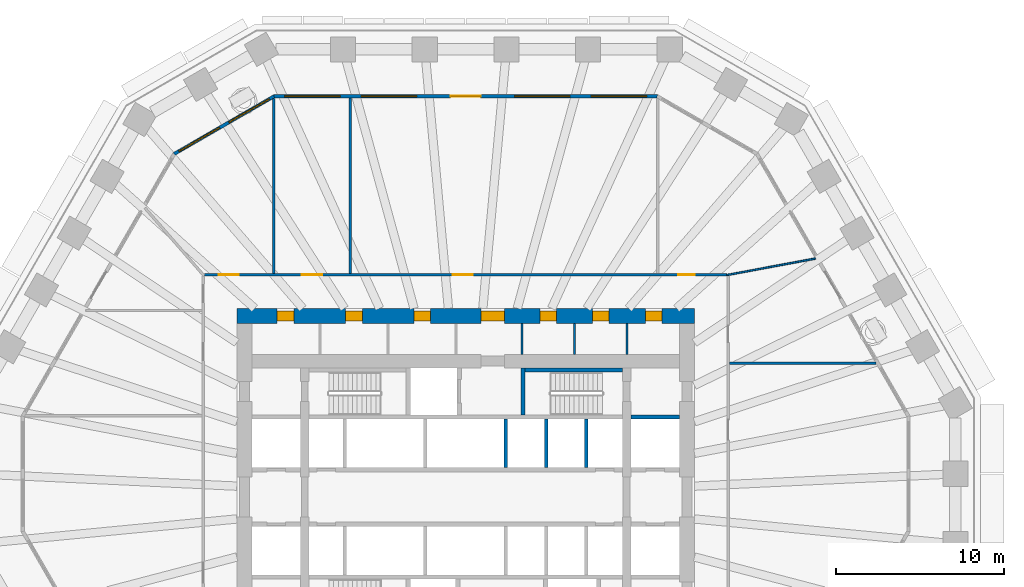
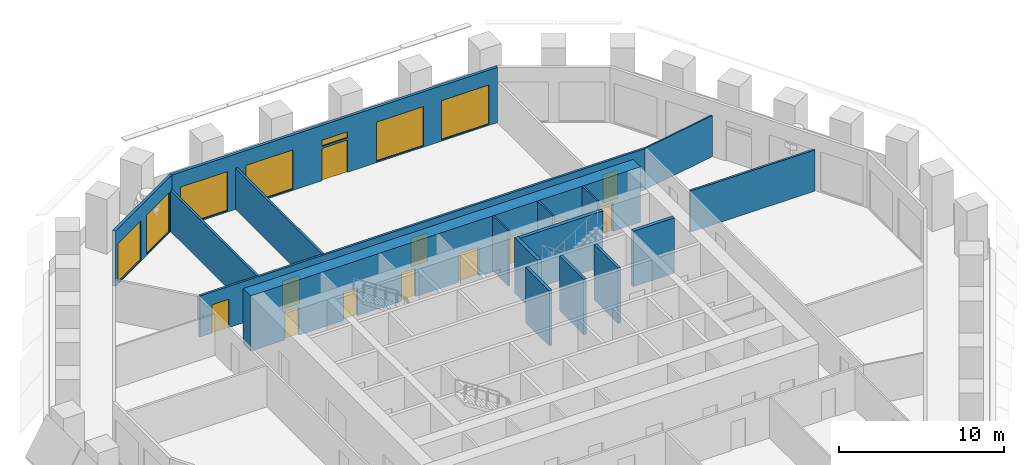
# One storey, part 7 of 12: 17 walls, 12 doors, 7 windows, 19 openings.
"""IFC4 building model written with IfcOpenShell, lengths in metres."""

from ifc_helpers import new_model, si_unit, direction, frame, frame_2d, origin, place, context, subcontext, project, spatial, polyline, rectangle, outline, extrude, material, layer, layer_set, type_object, element, fill, save


model = new_model("IFC4")

# Units and contexts
model_context = context("Model", 3, precision=1e-05, world=origin(), true_north=direction((0.0, 1.0)))
body_context = subcontext(model_context, "Body", "Model", "MODEL_VIEW")
ifc_project = project(units=[si_unit("LENGTHUNIT", "METRE"), si_unit("AREAUNIT", "SQUARE_METRE"), si_unit("VOLUMEUNIT", "CUBIC_METRE"), si_unit("PLANEANGLEUNIT", "RADIAN"), si_unit("MASSUNIT", "GRAM", prefix="KILO")], contexts=[model_context])

# Site, building, storey
site_placement = place(None, origin())
site = spatial("IfcSite", under=ifc_project, at=site_placement, CompositionType="ELEMENT")
building_placement = place(site_placement, origin())
building = spatial("IfcBuilding", under=site, at=building_placement, Name="Frailejon Research Tower", CompositionType="ELEMENT")
storey_placement = place(building_placement, frame((0.0, 0.0, 63.0)))
storey = spatial("IfcBuildingStorey", under=building, at=storey_placement, Name="L14", CompositionType="ELEMENT", Elevation=63.0)

# Walls
ifc_material_1 = material(Name="Plasterboard on steel studs", Category="steel")
ifc_layer_1 = layer(ifc_material_1, 0.125)
ifc_layer_set_1 = layer_set([ifc_layer_1], Name="Core partition 125")
wall_type_1 = type_object("IfcWallType", Name="Core partition 125", PredefinedType="PARTITIONING", material=ifc_layer_set_1)
for number, where, z_axis, x_axis, name in (
    (1, (3.362548828125, 8.5, 0.0), (0.0, 0.0, 1.0), (0.0, 1.0, 0.0), "Core partition"),
    (2, (6.49169921875, 8.5, 0.0), (0.0, 0.0, 1.0), (0.0, 1.0, 0.0), "Core partition"),
    (3, (9.620849609375, 8.5, 0.0), (0.0, 0.0, 1.0), (0.0, 1.0, 0.0), "Core partition"),
):
    element("IfcWall", number, at=place(storey_placement, frame(where, z_axis=z_axis, x_axis=x_axis)), inside=storey, type_object=wall_type_1, Name=name, PredefinedType="PARTITIONING", context=body_context, shape_type="SweptSolid", body=[
        extrude(rectangle(XDim=1.85009765625, YDim=0.125, at=frame_2d((0.925048828125, 0.0))), origin(), (0.0, 0.0, 1.0), 4.10009765625),
    ])

# Wall, openings, doors
ifc_material_2 = material(Name="Concrete C70/85", Category="concrete")
ifc_layer_2 = layer(ifc_material_2, 0.89990234375)
ifc_layer_set_2 = layer_set([ifc_layer_2], Name="Core shear wall 900 C70/85")
wall_type_2 = type_object("IfcWallType", Name="Core shear wall 900 C70/85", PredefinedType="SHEAR", material=ifc_layer_set_2)
wall_1_placement = place(storey_placement, frame((-13.64990234375, 10.800048828125, 0.0), z_axis=(0.0, 0.0, 1.0), x_axis=(1.0, 0.0, 0.0)))
wall_1 = element("IfcWall", 4, at=wall_1_placement, inside=storey, type_object=wall_type_2, Name="Core shear wall", PredefinedType="SHEAR", context=body_context, shape_type="SweptSolid", body=[
    extrude(rectangle(XDim=27.2998046875, YDim=0.89990234375, at=frame_2d((13.64990234375, 0.0))), origin(), (0.0, 0.0, 1.0), 4.10009765625),
])
opening_1_placement = place(wall_1_placement, frame((2.39990234375, 0.0, 0.0)))
opening_1 = element("IfcOpeningElement", 5, at=opening_1_placement, cuts=wall_1, Name="Opening D4", PredefinedType="OPENING", context=body_context, shape_type="SweptSolid", body=[
    extrude(rectangle(XDim=1.0, YDim=2.10009765625, at=frame_2d((0.5, 1.050048828125))), frame((0.0, 0.4599609375, 0.0), z_axis=(0.0, -1.0, 0.0), x_axis=(1.0, 0.0, 0.0)), (0.0, 0.0, 1.0), 0.919921875),
])
opening_2_placement = place(wall_1_placement, frame((6.49365234375, 0.0, 0.0)))
opening_2 = element("IfcOpeningElement", 6, at=opening_2_placement, cuts=wall_1, Name="Opening D4", PredefinedType="OPENING", context=body_context, shape_type="SweptSolid", body=[
    extrude(rectangle(XDim=1.0, YDim=2.10009765625, at=frame_2d((0.5, 1.050048828125))), frame((0.0, 0.4599609375, 0.0), z_axis=(0.0, -1.0, 0.0), x_axis=(1.0, 0.0, 0.0)), (0.0, 0.0, 1.0), 0.919921875),
])
opening_3_placement = place(wall_1_placement, frame((10.55615234375, 0.0, 0.0)))
opening_3 = element("IfcOpeningElement", 7, at=opening_3_placement, cuts=wall_1, Name="Opening D4", PredefinedType="OPENING", context=body_context, shape_type="SweptSolid", body=[
    extrude(rectangle(XDim=1.0, YDim=2.10009765625, at=frame_2d((0.5, 1.050048828125))), frame((0.0, 0.4599609375, 0.0), z_axis=(0.0, -1.0, 0.0), x_axis=(1.0, 0.0, 0.0)), (0.0, 0.0, 1.0), 0.919921875),
])
opening_4_placement = place(wall_1_placement, frame((18.0771484375, 0.0, 0.0)))
opening_4 = element("IfcOpeningElement", 8, at=opening_4_placement, cuts=wall_1, Name="Opening D4", PredefinedType="OPENING", context=body_context, shape_type="SweptSolid", body=[
    extrude(rectangle(XDim=1.0, YDim=2.10009765625, at=frame_2d((0.5, 1.050048828125))), frame((0.0, 0.4599609375, 0.0), z_axis=(0.0, -1.0, 0.0), x_axis=(1.0, 0.0, 0.0)), (0.0, 0.0, 1.0), 0.919921875),
])
opening_5_placement = place(wall_1_placement, frame((21.206298828125, 0.0, 0.0)))
opening_5 = element("IfcOpeningElement", 9, at=opening_5_placement, cuts=wall_1, Name="Opening D4", PredefinedType="OPENING", context=body_context, shape_type="SweptSolid", body=[
    extrude(rectangle(XDim=1.0, YDim=2.10009765625, at=frame_2d((0.5, 1.050048828125))), frame((0.0, 0.4599609375, 0.0), z_axis=(0.0, -1.0, 0.0), x_axis=(1.0, 0.0, 0.0)), (0.0, 0.0, 1.0), 0.919921875),
])
opening_6_placement = place(wall_1_placement, frame((24.36669921875, 0.0, 0.0)))
opening_6 = element("IfcOpeningElement", 10, at=opening_6_placement, cuts=wall_1, Name="Opening D4", PredefinedType="OPENING", context=body_context, shape_type="SweptSolid", body=[
    extrude(rectangle(XDim=1.0, YDim=2.10009765625, at=frame_2d((0.5, 1.050048828125))), frame((0.0, 0.4599609375, 0.0), z_axis=(0.0, -1.0, 0.0), x_axis=(1.0, 0.0, 0.0)), (0.0, 0.0, 1.0), 0.919921875),
])
opening_7_placement = place(wall_1_placement, frame((14.574951171875, 0.0, 0.0)))
opening_7 = element("IfcOpeningElement", 11, at=opening_7_placement, cuts=wall_1, Name="Opening D9", PredefinedType="OPENING", context=body_context, shape_type="SweptSolid", body=[
    extrude(rectangle(XDim=1.39990234375, YDim=2.10009765625, at=frame_2d((0.699951171875, 1.050048828125))), frame((0.0, 0.4599609375, 0.0), z_axis=(0.0, -1.0, 0.0), x_axis=(1.0, 0.0, 0.0)), (0.0, 0.0, 1.0), 0.919921875),
])
ifc_material_3 = material(Name="Steel", Category="steel")
door_type_1 = type_object("IfcDoorType", Name="Goods lobby door", OperationType="DOUBLE_DOOR_SINGLE_SWING", PredefinedType="DOOR", material=ifc_material_3)
door_1_placement = place(opening_7_placement, origin())
door_1 = element("IfcDoor", 12, at=door_1_placement, inside=storey, type_object=door_type_1, Name="Passage door", OperationType="DOUBLE_DOOR_SINGLE_SWING", OverallHeight=2.10009765625, OverallWidth=1.39990234375, PredefinedType="DOOR", context=body_context, shape_type="SweptSolid", body=[
    extrude(rectangle(XDim=1.39990234375, YDim=2.10009765625, at=frame_2d((0.699951171875, 1.050048828125))), frame((0.0, 0.300048828125, 0.0), z_axis=(0.0, -1.0, 0.0), x_axis=(1.0, 0.0, 0.0)), (0.0, 0.0, 1.0), 0.60009765625),
])
fill(opening_7, door_1)
ifc_material_4 = material(Name="Steel", Category="steel")
door_type_2 = type_object("IfcDoorType", Name="Service door", OperationType="SINGLE_SWING_LEFT", PredefinedType="DOOR", material=ifc_material_4)
door_2_placement = place(opening_1_placement, origin())
door_2 = element("IfcDoor", 13, at=door_2_placement, inside=storey, type_object=door_type_2, Name="Room door", OperationType="SINGLE_SWING_RIGHT", OverallHeight=2.10009765625, OverallWidth=1.0, PredefinedType="DOOR", context=body_context, shape_type="SweptSolid", body=[
    extrude(rectangle(XDim=1.0, YDim=2.10009765625, at=frame_2d((0.5, 1.050048828125))), frame((0.0, 0.300048828125, 0.0), z_axis=(0.0, -1.0, 0.0), x_axis=(1.0, 0.0, 0.0)), (0.0, 0.0, 1.0), 0.60009765625),
])
fill(opening_1, door_2)
door_3_placement = place(opening_2_placement, origin())
door_3 = element("IfcDoor", 14, at=door_3_placement, inside=storey, type_object=door_type_2, Name="Room door", OperationType="SINGLE_SWING_LEFT", OverallHeight=2.10009765625, OverallWidth=1.0, PredefinedType="DOOR", context=body_context, shape_type="SweptSolid", body=[
    extrude(rectangle(XDim=1.0, YDim=2.10009765625, at=frame_2d((0.5, 1.050048828125))), frame((0.0, 0.300048828125, 0.0), z_axis=(0.0, -1.0, 0.0), x_axis=(1.0, 0.0, 0.0)), (0.0, 0.0, 1.0), 0.60009765625),
])
fill(opening_2, door_3)
door_4_placement = place(opening_3_placement, origin())
door_4 = element("IfcDoor", 15, at=door_4_placement, inside=storey, type_object=door_type_2, Name="Room door", OperationType="SINGLE_SWING_RIGHT", OverallHeight=2.10009765625, OverallWidth=1.0, PredefinedType="DOOR", context=body_context, shape_type="SweptSolid", body=[
    extrude(rectangle(XDim=1.0, YDim=2.10009765625, at=frame_2d((0.5, 1.050048828125))), frame((0.0, 0.300048828125, 0.0), z_axis=(0.0, -1.0, 0.0), x_axis=(1.0, 0.0, 0.0)), (0.0, 0.0, 1.0), 0.60009765625),
])
fill(opening_3, door_4)
door_5_placement = place(opening_4_placement, origin())
door_5 = element("IfcDoor", 16, at=door_5_placement, inside=storey, type_object=door_type_2, Name="Room door", OperationType="SINGLE_SWING_LEFT", OverallHeight=2.10009765625, OverallWidth=1.0, PredefinedType="DOOR", context=body_context, shape_type="SweptSolid", body=[
    extrude(rectangle(XDim=1.0, YDim=2.10009765625, at=frame_2d((0.5, 1.050048828125))), frame((0.0, 0.300048828125, 0.0), z_axis=(0.0, -1.0, 0.0), x_axis=(1.0, 0.0, 0.0)), (0.0, 0.0, 1.0), 0.60009765625),
])
fill(opening_4, door_5)
door_6_placement = place(opening_5_placement, origin())
door_6 = element("IfcDoor", 17, at=door_6_placement, inside=storey, type_object=door_type_2, Name="Room door", OperationType="SINGLE_SWING_RIGHT", OverallHeight=2.10009765625, OverallWidth=1.0, PredefinedType="DOOR", context=body_context, shape_type="SweptSolid", body=[
    extrude(rectangle(XDim=1.0, YDim=2.10009765625, at=frame_2d((0.5, 1.050048828125))), frame((0.0, 0.300048828125, 0.0), z_axis=(0.0, -1.0, 0.0), x_axis=(1.0, 0.0, 0.0)), (0.0, 0.0, 1.0), 0.60009765625),
])
fill(opening_5, door_6)
door_7_placement = place(opening_6_placement, origin())
door_7 = element("IfcDoor", 18, at=door_7_placement, inside=storey, type_object=door_type_2, Name="Room door", OperationType="SINGLE_SWING_LEFT", OverallHeight=2.10009765625, OverallWidth=1.0, PredefinedType="DOOR", context=body_context, shape_type="SweptSolid", body=[
    extrude(rectangle(XDim=1.0, YDim=2.10009765625, at=frame_2d((0.5, 1.050048828125))), frame((0.0, 0.300048828125, 0.0), z_axis=(0.0, -1.0, 0.0), x_axis=(1.0, 0.0, 0.0)), (0.0, 0.0, 1.0), 0.60009765625),
])
fill(opening_6, door_7)

ifc_material_5 = material(Name="Gypsum board and masonry partition", Category="masonry")
ifc_layer_3 = layer(ifc_material_5, 0.14990234375)
ifc_layer_set_3 = layer_set([ifc_layer_3], Name="Corridor wall EI 60, gypsum on steel studs 150")
wall_type_3 = type_object("IfcWallType", Name="Corridor wall EI 60, gypsum on steel studs 150", PredefinedType="PARTITIONING", material=ifc_layer_set_3)
wall_2_placement = place(storey_placement, frame((-15.574951171875, 13.25, 0.0), z_axis=(0.0, 0.0, 1.0), x_axis=(1.0, 0.0, 0.0)))
wall_2 = element("IfcWall", 19, at=wall_2_placement, inside=storey, type_object=wall_type_3, Name="T:IW:L14:002", PredefinedType="PARTITIONING", context=body_context, shape_type="SweptSolid", body=[
    extrude(rectangle(XDim=31.175048828125, YDim=0.14990234375, at=frame_2d((15.58740234375, 0.0))), origin(), (0.0, 0.0, 1.0), 3.050048828125),
])
opening_8_placement = place(wall_2_placement, frame((28.251953125, 0.0, 0.0)))
opening_8 = element("IfcOpeningElement", 20, at=opening_8_placement, cuts=wall_2, Name="Opening D1453", PredefinedType="OPENING", context=body_context, shape_type="SweptSolid", body=[
    extrude(rectangle(XDim=1.0, YDim=2.10009765625, at=frame_2d((0.5, 1.050048828125))), frame((0.0, 0.0849609375, 0.0), z_axis=(0.0, -1.0, 0.0), x_axis=(1.0, 0.0, 0.0)), (0.0, 0.0, 1.0), 0.169921875),
])
opening_9_placement = place(wall_2_placement, frame((14.802001953125, 0.0, 0.0)))
opening_9 = element("IfcOpeningElement", 21, at=opening_9_placement, cuts=wall_2, Name="Opening D1454", PredefinedType="OPENING", context=body_context, shape_type="SweptSolid", body=[
    extrude(rectangle(XDim=1.199951171875, YDim=2.10009765625, at=frame_2d((0.60009765625, 1.050048828125))), frame((0.0, 0.0849609375, 0.0), z_axis=(0.0, -1.0, 0.0), x_axis=(1.0, 0.0, 0.0)), (0.0, 0.0, 1.0), 0.169921875),
])
opening_10_placement = place(wall_2_placement, frame((5.8125, 0.0, 0.0)))
opening_10 = element("IfcOpeningElement", 22, at=opening_10_placement, cuts=wall_2, Name="Opening D1455", PredefinedType="OPENING", context=body_context, shape_type="SweptSolid", body=[
    extrude(rectangle(XDim=1.199951171875, YDim=2.10009765625, at=frame_2d((0.60009765625, 1.050048828125))), frame((0.0, 0.0849609375, 0.0), z_axis=(0.0, -1.0, 0.0), x_axis=(1.0, 0.0, 0.0)), (0.0, 0.0, 1.0), 0.169921875),
])
opening_11_placement = place(wall_2_placement, frame((0.84912109375, 0.0, 0.0)))
opening_11 = element("IfcOpeningElement", 23, at=opening_11_placement, cuts=wall_2, Name="Opening D1456", PredefinedType="OPENING", context=body_context, shape_type="SweptSolid", body=[
    extrude(rectangle(XDim=1.199951171875, YDim=2.10009765625, at=frame_2d((0.60009765625, 1.050048828125))), frame((0.0, 0.0849609375, 0.0), z_axis=(0.0, -1.0, 0.0), x_axis=(1.0, 0.0, 0.0)), (0.0, 0.0, 1.0), 0.169921875),
])
ifc_material_6 = material(Name="Timber door leaf", Category="wood")
door_type_3 = type_object("IfcDoorType", Name="Door laboratory, timber, vision panel 1200", OperationType="NOTDEFINED", PredefinedType="DOOR", material=ifc_material_6)
door_8_placement = place(opening_9_placement, origin())
door_8 = element("IfcDoor", 24, at=door_8_placement, inside=storey, type_object=door_type_3, Name="D1454", OperationType="DOUBLE_DOOR_SINGLE_SWING", OverallHeight=2.10009765625, OverallWidth=1.199951171875, PredefinedType="DOOR", context=body_context, shape_type="SweptSolid", body=[
    extrude(rectangle(XDim=1.199951171875, YDim=2.10009765625, at=frame_2d((0.60009765625, 1.050048828125))), frame((0.0, 0.02490234375, 0.0), z_axis=(0.0, -1.0, 0.0), x_axis=(1.0, 0.0, 0.0)), (0.0, 0.0, 1.0), 0.050048828125),
])
fill(opening_9, door_8)
door_9_placement = place(opening_10_placement, origin())
door_9 = element("IfcDoor", 25, at=door_9_placement, inside=storey, type_object=door_type_3, Name="D1455", OperationType="DOUBLE_DOOR_SINGLE_SWING", OverallHeight=2.10009765625, OverallWidth=1.199951171875, PredefinedType="DOOR", context=body_context, shape_type="SweptSolid", body=[
    extrude(rectangle(XDim=1.199951171875, YDim=2.10009765625, at=frame_2d((0.60009765625, 1.050048828125))), frame((0.0, 0.02490234375, 0.0), z_axis=(0.0, -1.0, 0.0), x_axis=(1.0, 0.0, 0.0)), (0.0, 0.0, 1.0), 0.050048828125),
])
fill(opening_10, door_9)
door_10_placement = place(opening_11_placement, origin())
door_10 = element("IfcDoor", 26, at=door_10_placement, inside=storey, type_object=door_type_3, Name="D1456", OperationType="DOUBLE_DOOR_SINGLE_SWING", OverallHeight=2.10009765625, OverallWidth=1.199951171875, PredefinedType="DOOR", context=body_context, shape_type="SweptSolid", body=[
    extrude(rectangle(XDim=1.199951171875, YDim=2.10009765625, at=frame_2d((0.60009765625, 1.050048828125))), frame((0.0, 0.02490234375, 0.0), z_axis=(0.0, -1.0, 0.0), x_axis=(1.0, 0.0, 0.0)), (0.0, 0.0, 1.0), 0.050048828125),
])
fill(opening_11, door_10)
ifc_material_7 = material(Name="Timber door leaf", Category="wood")
door_type_4 = type_object("IfcDoorType", Name="Door single leaf, timber, steel frame 1000", OperationType="NOTDEFINED", PredefinedType="DOOR", material=ifc_material_7)
door_11_placement = place(opening_8_placement, origin())
door_11 = element("IfcDoor", 27, at=door_11_placement, inside=storey, type_object=door_type_4, Name="D1453", OperationType="SINGLE_SWING_LEFT", OverallHeight=2.10009765625, OverallWidth=1.0, PredefinedType="DOOR", context=body_context, shape_type="SweptSolid", body=[
    extrude(rectangle(XDim=1.0, YDim=2.10009765625, at=frame_2d((0.5, 1.050048828125))), frame((0.0, 0.02490234375, 0.0), z_axis=(0.0, -1.0, 0.0), x_axis=(1.0, 0.0, 0.0)), (0.0, 0.0, 1.0), 0.050048828125),
])
fill(opening_8, door_11)

# Walls
ifc_material_8 = material(Name="Gypsum board and masonry partition", Category="masonry")
ifc_layer_4 = layer(ifc_material_8, 0.14990234375)
ifc_layer_set_4 = layer_set([ifc_layer_4], Name="Laboratory partition, blockwork 150")
wall_type_4 = type_object("IfcWallType", Name="Laboratory partition, blockwork 150", PredefinedType="PARTITIONING", material=ifc_layer_set_4)
wall_3_placement = place(storey_placement, frame((15.72509765625, 7.984619140625, 0.0), z_axis=(0.0, 0.0, 1.0), x_axis=(1.0, 0.0, 0.0)))
element("IfcWall", 28, at=wall_3_placement, inside=storey, type_object=wall_type_4, Name="T:IW:L14:005", PredefinedType="PARTITIONING", context=body_context, shape_type="SweptSolid", body=[
    extrude(rectangle(XDim=8.743408203125, YDim=0.14990234375, at=frame_2d((4.37158203125, 0.0))), origin(), (0.0, 0.0, 1.0), 3.050048828125),
])
wall_4_placement = place(storey_placement, frame((-6.871826171875, 13.324951171875, 0.0), z_axis=(0.0, 0.0, 1.0), x_axis=(0.0, 1.0, 0.0)))
element("IfcWall", 29, at=wall_4_placement, inside=storey, type_object=wall_type_4, Name="T:IW:L14:008", PredefinedType="PARTITIONING", context=body_context, shape_type="SweptSolid", body=[
    extrude(rectangle(XDim=10.47509765625, YDim=0.14990234375, at=frame_2d((5.237548828125, 0.0))), origin(), (0.0, 0.0, 1.0), 3.050048828125),
])
wall_5_placement = place(storey_placement, frame((-11.453125, 13.324951171875, 0.0), z_axis=(0.0, 0.0, 1.0), x_axis=(0.0, 1.0, 0.0)))
element("IfcWall", 30, at=wall_5_placement, inside=storey, type_object=wall_type_4, Name="T:IW:L14:009", PredefinedType="PARTITIONING", context=body_context, shape_type="SweptSolid", body=[
    extrude(rectangle(XDim=10.444091796875, YDim=0.14990234375, at=frame_2d((5.22216796875, 0.0))), origin(), (0.0, 0.0, 1.0), 3.050048828125),
])
ifc_material_9 = material(Name="Gypsum board and masonry partition", Category="masonry")
ifc_layer_5 = layer(ifc_material_9, 0.10009765625)
ifc_layer_set_5 = layer_set([ifc_layer_5], Name="Partition, gypsum on steel studs 100")
wall_type_5 = type_object("IfcWallType", Name="Partition, gypsum on steel studs 100", PredefinedType="PARTITIONING", material=ifc_layer_set_5)
wall_6_placement = place(storey_placement, frame((15.576416015625, 13.236328125, 0.0), z_axis=(0.0, 0.0, 1.0), x_axis=(0.983108608108, 0.183023126037, 0.0)))
element("IfcWall", 31, at=wall_6_placement, inside=storey, type_object=wall_type_5, Name="T:IW:L14:016", PredefinedType="PARTITIONING", context=body_context, shape_type="SweptSolid", body=[
    extrude(rectangle(XDim=5.38232421875, YDim=0.10009765625, at=frame_2d((2.691162109375, 0.0))), origin(), (0.0, 0.0, 1.0), 3.050048828125),
])
ifc_material_10 = material(Name="Concrete C70/85", Category="concrete")
ifc_layer_6 = layer(ifc_material_10, 0.199951171875)
ifc_layer_set_6 = layer_set([ifc_layer_6], Name="Shaft wall 200 C70/85")
wall_type_6 = type_object("IfcWallType", Name="Shaft wall 200 C70/85", PredefinedType="SOLIDWALL", material=ifc_layer_set_6)
for number, where, z_axis, x_axis, name in (
    (32, (2.39990234375, 1.75, 0.0), (0.0, 0.0, 1.0), (0.0, 1.0, 0.0), "Shaft wall"),
    (33, (4.800048828125, 1.75, 0.0), (0.0, 0.0, 1.0), (0.0, 1.0, 0.0), "Shaft wall"),
    (34, (7.199951171875, 1.75, 0.0), (0.0, 0.0, 1.0), (0.0, 1.0, 0.0), "Shaft wall"),
):
    element("IfcWall", number, at=place(storey_placement, frame(where, z_axis=z_axis, x_axis=x_axis)), inside=storey, type_object=wall_type_6, Name=name, PredefinedType="SOLIDWALL", context=body_context, shape_type="SweptSolid", body=[
        extrude(rectangle(XDim=2.89990234375, YDim=0.199951171875, at=frame_2d((1.449951171875, 0.0))), origin(), (0.0, 0.0, 1.0), 4.10009765625),
    ])
ifc_material_11 = material(Name="Concrete C70/85", Category="concrete")
ifc_layer_7 = layer(ifc_material_11, 0.25)
ifc_layer_set_7 = layer_set([ifc_layer_7], Name="Shaft wall 250 C70/85")
wall_type_7 = type_object("IfcWallType", Name="Shaft wall 250 C70/85", PredefinedType="SOLIDWALL", material=ifc_layer_set_7)
wall_7_placement = place(storey_placement, frame((9.85009765625, 4.77490234375, 0.0), z_axis=(0.0, 0.0, 1.0), x_axis=(1.0, 0.0, 0.0)))
element("IfcWall", 35, at=wall_7_placement, inside=storey, type_object=wall_type_7, Name="Shaft wall", PredefinedType="SOLIDWALL", context=body_context, shape_type="SweptSolid", body=[
    extrude(rectangle(XDim=2.89990234375, YDim=0.25, at=frame_2d((1.449951171875, 0.0))), origin(), (0.0, 0.0, 1.0), 4.10009765625),
])
wall_8_placement = place(storey_placement, frame((3.550048828125, 7.574951171875, 0.0), z_axis=(0.0, 0.0, 1.0), x_axis=(1.0, 0.0, 0.0)))
element("IfcWall", 36, at=wall_8_placement, inside=storey, type_object=wall_type_7, Name="Shaft wall", PredefinedType="SOLIDWALL", context=body_context, shape_type="SweptSolid", body=[
    extrude(rectangle(XDim=5.800048828125, YDim=0.25, at=frame_2d((2.89990234375, 0.0))), origin(), (0.0, 0.0, 1.0), 4.10009765625),
])
wall_9_placement = place(storey_placement, frame((3.425048828125, 4.89990234375, 0.0), z_axis=(0.0, 0.0, 1.0), x_axis=(0.0, 1.0, 0.0)))
element("IfcWall", 37, at=wall_9_placement, inside=storey, type_object=wall_type_7, Name="Shaft wall", PredefinedType="SOLIDWALL", context=body_context, shape_type="SweptSolid", body=[
    extrude(rectangle(XDim=2.800048828125, YDim=0.25, at=frame_2d((1.39990234375, 0.0))), origin(), (0.0, 0.0, 1.0), 4.10009765625),
])

# Wall, openings, door, windows
ifc_material_12 = material(Name="Concrete C40/50 precast window wall panel", Category="concrete")
ifc_layer_8 = layer(ifc_material_12, 0.199951171875)
ifc_layer_set_8 = layer_set([ifc_layer_8], Name="Window wall 200")
wall_type_8 = type_object("IfcWallType", Name="Window wall 200", PredefinedType="SOLIDWALL", material=ifc_layer_set_8)
wall_10_placement = place(storey_placement, frame((11.42626953125, 23.89990234375, 0.0), z_axis=(0.0, 0.0, 1.0), x_axis=(-1.0, 0.0, 0.0)))
wall_10 = element("IfcWall", 38, at=wall_10_placement, inside=storey, type_object=wall_type_8, Name="Exterior wall L14", PredefinedType="SOLIDWALL", context=body_context, shape_type="SweptSolid", body=[
    extrude(outline(polyline([(-0.02685546875, -0.10009765625), (1.014404296875, -0.10009765625), (2.055419921875, -0.10009765625), (3.0966796875, -0.10009765625), (4.137939453125, -0.10009765625), (5.17919921875, -0.10009765625), (6.22021484375, -0.10009765625), (7.261474609375, -0.10009765625), (8.302734375, -0.10009765625), (9.343994140625, -0.10009765625), (10.385009765625, -0.10009765625), (11.42626953125, -0.10009765625), (12.467529296875, -0.10009765625), (13.508544921875, -0.10009765625), (14.5498046875, -0.10009765625), (15.591064453125, -0.10009765625), (16.63232421875, -0.10009765625), (17.67333984375, -0.10009765625), (18.714599609375, -0.10009765625), (19.755859375, -0.10009765625), (20.797119140625, -0.10009765625), (21.838134765625, -0.10009765625), (22.87939453125, -0.10009765625), (22.82568359375, 0.10009765625), (21.789306640625, 0.10009765625), (20.753173828125, 0.10009765625), (19.716796875, 0.10009765625), (18.680419921875, 0.10009765625), (17.64404296875, 0.10009765625), (16.60791015625, 0.10009765625), (15.571533203125, 0.10009765625), (14.53515625, 0.10009765625), (13.498779296875, 0.10009765625), (12.462646484375, 0.10009765625), (11.42626953125, 0.10009765625), (10.389892578125, 0.10009765625), (9.353759765625, 0.10009765625), (8.3173828125, 0.10009765625), (7.281005859375, 0.10009765625), (6.24462890625, 0.10009765625), (5.20849609375, 0.10009765625), (4.172119140625, 0.10009765625), (3.1357421875, 0.10009765625), (2.099365234375, 0.10009765625), (1.063232421875, 0.10009765625), (0.02685546875, 0.10009765625), (-0.02685546875, -0.10009765625)])), origin(), (0.0, 0.0, 1.0), 4.10009765625),
])
opening_12_placement = place(wall_10_placement, frame((0.63525390625, 0.0, 0.10009765625)))
opening_12 = element("IfcOpeningElement", 39, at=opening_12_placement, cuts=wall_10, Name="Opening W5", PredefinedType="OPENING", context=body_context, shape_type="SweptSolid", body=[
    extrude(rectangle(XDim=3.300048828125, YDim=2.89990234375, at=frame_2d((1.64990234375, 1.449951171875))), frame((0.0, 0.10986328125, 0.0), z_axis=(0.0, -1.0, 0.0), x_axis=(1.0, 0.0, 0.0)), (0.0, 0.0, 1.0), 0.219970703125),
])
opening_13_placement = place(wall_10_placement, frame((5.205810546875, 0.0, 0.10009765625)))
opening_13 = element("IfcOpeningElement", 40, at=opening_13_placement, cuts=wall_10, Name="Opening W5", PredefinedType="OPENING", context=body_context, shape_type="SweptSolid", body=[
    extrude(rectangle(XDim=3.300048828125, YDim=2.89990234375, at=frame_2d((1.64990234375, 1.449951171875))), frame((0.0, 0.10986328125, 0.0), z_axis=(0.0, -1.0, 0.0), x_axis=(1.0, 0.0, 0.0)), (0.0, 0.0, 1.0), 0.219970703125),
])
opening_14_placement = place(wall_10_placement, frame((10.5263671875, 0.0, 0.0)))
opening_14 = element("IfcOpeningElement", 41, at=opening_14_placement, cuts=wall_10, Name="Opening LG14-2", PredefinedType="OPENING", context=body_context, shape_type="SweptSolid", body=[
    extrude(rectangle(XDim=1.800048828125, YDim=2.39990234375, at=frame_2d((0.89990234375, 1.199951171875))), frame((0.0, 0.10986328125, 0.0), z_axis=(0.0, -1.0, 0.0), x_axis=(1.0, 0.0, 0.0)), (0.0, 0.0, 1.0), 0.219970703125),
])
opening_15_placement = place(wall_10_placement, frame((10.5263671875, 0.0, 2.550048828125)))
opening_15 = element("IfcOpeningElement", 42, at=opening_15_placement, cuts=wall_10, Name="Opening W1", PredefinedType="OPENING", context=body_context, shape_type="SweptSolid", body=[
    extrude(rectangle(XDim=1.800048828125, YDim=0.449951171875, at=frame_2d((0.89990234375, 0.22509765625))), frame((0.0, 0.10986328125, 0.0), z_axis=(0.0, -1.0, 0.0), x_axis=(1.0, 0.0, 0.0)), (0.0, 0.0, 1.0), 0.219970703125),
])
opening_16_placement = place(wall_10_placement, frame((14.3466796875, 0.0, 0.10009765625)))
opening_16 = element("IfcOpeningElement", 43, at=opening_16_placement, cuts=wall_10, Name="Opening W5", PredefinedType="OPENING", context=body_context, shape_type="SweptSolid", body=[
    extrude(rectangle(XDim=3.300048828125, YDim=2.89990234375, at=frame_2d((1.64990234375, 1.449951171875))), frame((0.0, 0.10986328125, 0.0), z_axis=(0.0, -1.0, 0.0), x_axis=(1.0, 0.0, 0.0)), (0.0, 0.0, 1.0), 0.219970703125),
])
opening_17_placement = place(wall_10_placement, frame((18.917236328125, 0.0, 0.10009765625)))
opening_17 = element("IfcOpeningElement", 44, at=opening_17_placement, cuts=wall_10, Name="Opening W5", PredefinedType="OPENING", context=body_context, shape_type="SweptSolid", body=[
    extrude(rectangle(XDim=3.300048828125, YDim=2.89990234375, at=frame_2d((1.64990234375, 1.449951171875))), frame((0.0, 0.10986328125, 0.0), z_axis=(0.0, -1.0, 0.0), x_axis=(1.0, 0.0, 0.0)), (0.0, 0.0, 1.0), 0.219970703125),
])
ifc_material_13 = material(Name="Aluminium framed glazed door leaf", Category="aluminium")
door_type_5 = type_object("IfcDoorType", Name="Loggia door 1800x2400", OperationType="DOUBLE_DOOR_SINGLE_SWING", PredefinedType="DOOR", material=ifc_material_13)
door_12_placement = place(opening_14_placement, origin())
door_12 = element("IfcDoor", 45, at=door_12_placement, inside=storey, type_object=door_type_5, Name="Door LG14-2", OperationType="DOUBLE_DOOR_SINGLE_SWING", OverallHeight=2.39990234375, OverallWidth=1.800048828125, PredefinedType="DOOR", context=body_context, shape_type="SweptSolid", body=[
    extrude(rectangle(XDim=1.800048828125, YDim=2.39990234375, at=frame_2d((0.89990234375, 1.199951171875))), frame((0.0, 0.02490234375, 0.0), z_axis=(0.0, -1.0, 0.0), x_axis=(1.0, 0.0, 0.0)), (0.0, 0.0, 1.0), 0.050048828125),
])
fill(opening_14, door_12)
ifc_material_14 = material(Name="Aluminium framed double glazing", Category="aluminium")
window_type_1 = type_object("IfcWindowType", Name="Window 1800x450", PartitioningType="SINGLE_PANEL", PredefinedType="WINDOW", material=ifc_material_14)
window_1_placement = place(opening_15_placement, origin())
window_1 = element("IfcWindow", 46, at=window_1_placement, inside=storey, type_object=window_type_1, Name="Window L14", OverallHeight=0.449951171875, OverallWidth=1.800048828125, PartitioningType="SINGLE_PANEL", PredefinedType="WINDOW", context=body_context, shape_type="SweptSolid", body=[
    extrude(rectangle(XDim=1.800048828125, YDim=0.449951171875, at=frame_2d((0.89990234375, 0.22509765625))), frame((0.0, 0.030029296875, 0.0), z_axis=(0.0, -1.0, 0.0), x_axis=(1.0, 0.0, 0.0)), (0.0, 0.0, 1.0), 0.06005859375),
])
fill(opening_15, window_1)
ifc_material_15 = material(Name="Aluminium framed double glazing", Category="aluminium")
window_type_2 = type_object("IfcWindowType", Name="Window 3300x2900", PartitioningType="SINGLE_PANEL", PredefinedType="WINDOW", material=ifc_material_15)
window_2_placement = place(opening_12_placement, origin())
window_2 = element("IfcWindow", 47, at=window_2_placement, inside=storey, type_object=window_type_2, Name="Window L14", OverallHeight=2.89990234375, OverallWidth=3.300048828125, PartitioningType="SINGLE_PANEL", PredefinedType="WINDOW", context=body_context, shape_type="SweptSolid", body=[
    extrude(rectangle(XDim=3.300048828125, YDim=2.89990234375, at=frame_2d((1.64990234375, 1.449951171875))), frame((0.0, 0.030029296875, 0.0), z_axis=(0.0, -1.0, 0.0), x_axis=(1.0, 0.0, 0.0)), (0.0, 0.0, 1.0), 0.06005859375),
])
fill(opening_12, window_2)
window_3_placement = place(opening_13_placement, origin())
window_3 = element("IfcWindow", 48, at=window_3_placement, inside=storey, type_object=window_type_2, Name="Window L14", OverallHeight=2.89990234375, OverallWidth=3.300048828125, PartitioningType="SINGLE_PANEL", PredefinedType="WINDOW", context=body_context, shape_type="SweptSolid", body=[
    extrude(rectangle(XDim=3.300048828125, YDim=2.89990234375, at=frame_2d((1.64990234375, 1.449951171875))), frame((0.0, 0.030029296875, 0.0), z_axis=(0.0, -1.0, 0.0), x_axis=(1.0, 0.0, 0.0)), (0.0, 0.0, 1.0), 0.06005859375),
])
fill(opening_13, window_3)
window_4_placement = place(opening_16_placement, origin())
window_4 = element("IfcWindow", 49, at=window_4_placement, inside=storey, type_object=window_type_2, Name="Window L14", OverallHeight=2.89990234375, OverallWidth=3.300048828125, PartitioningType="SINGLE_PANEL", PredefinedType="WINDOW", context=body_context, shape_type="SweptSolid", body=[
    extrude(rectangle(XDim=3.300048828125, YDim=2.89990234375, at=frame_2d((1.64990234375, 1.449951171875))), frame((0.0, 0.030029296875, 0.0), z_axis=(0.0, -1.0, 0.0), x_axis=(1.0, 0.0, 0.0)), (0.0, 0.0, 1.0), 0.06005859375),
])
fill(opening_16, window_4)
window_5_placement = place(opening_17_placement, origin())
window_5 = element("IfcWindow", 50, at=window_5_placement, inside=storey, type_object=window_type_2, Name="Window L14", OverallHeight=2.89990234375, OverallWidth=3.300048828125, PartitioningType="SINGLE_PANEL", PredefinedType="WINDOW", context=body_context, shape_type="SweptSolid", body=[
    extrude(rectangle(XDim=3.300048828125, YDim=2.89990234375, at=frame_2d((1.64990234375, 1.449951171875))), frame((0.0, 0.030029296875, 0.0), z_axis=(0.0, -1.0, 0.0), x_axis=(1.0, 0.0, 0.0)), (0.0, 0.0, 1.0), 0.06005859375),
])
fill(opening_17, window_5)

# Wall, openings, windows
wall_11_placement = place(storey_placement, frame((-11.42626953125, 23.89990234375, 0.0), z_axis=(0.0, 0.0, 1.0), x_axis=(-0.866029458321, -0.49999297727, 0.0)))
wall_11 = element("IfcWall", 51, at=wall_11_placement, inside=storey, type_object=wall_type_8, Name="Exterior wall L14", PredefinedType="SOLIDWALL", context=body_context, shape_type="SweptSolid", body=[
    extrude(outline(polyline([(-0.02685546875, -0.10009765625), (1.1279296875, -0.10009765625), (2.282470703125, -0.10009765625), (3.437255859375, -0.10009765625), (4.592041015625, -0.10009765625), (5.74658203125, -0.10009765625), (6.9013671875, -0.10009765625), (6.84765625, 0.10009765625), (5.7109375, 0.10009765625), (4.573974609375, 0.10009765625), (3.437255859375, 0.10009765625), (2.300537109375, 0.10009765625), (1.16357421875, 0.10009765625), (0.02685546875, 0.10009765625), (-0.02685546875, -0.10009765625)])), origin(), (0.0, 0.0, 1.0), 4.10009765625),
])
opening_18_placement = place(wall_11_placement, frame((0.318603515625, 0.0, 0.10009765625)))
opening_18 = element("IfcOpeningElement", 52, at=opening_18_placement, cuts=wall_11, Name="Opening W3", PredefinedType="OPENING", context=body_context, shape_type="SweptSolid", body=[
    extrude(rectangle(XDim=2.800048828125, YDim=2.89990234375, at=frame_2d((1.39990234375, 1.449951171875))), frame((0.0, 0.10986328125, 0.0), z_axis=(0.0, -1.0, 0.0), x_axis=(1.0, 0.0, 0.0)), (0.0, 0.0, 1.0), 0.219970703125),
])
opening_19_placement = place(wall_11_placement, frame((3.756103515625, 0.0, 0.10009765625)))
opening_19 = element("IfcOpeningElement", 53, at=opening_19_placement, cuts=wall_11, Name="Opening W3", PredefinedType="OPENING", context=body_context, shape_type="SweptSolid", body=[
    extrude(rectangle(XDim=2.800048828125, YDim=2.89990234375, at=frame_2d((1.39990234375, 1.449951171875))), frame((0.0, 0.10986328125, 0.0), z_axis=(0.0, -1.0, 0.0), x_axis=(1.0, 0.0, 0.0)), (0.0, 0.0, 1.0), 0.219970703125),
])
ifc_material_16 = material(Name="Aluminium framed double glazing", Category="aluminium")
window_type_3 = type_object("IfcWindowType", Name="Window 2800x2900", PartitioningType="SINGLE_PANEL", PredefinedType="WINDOW", material=ifc_material_16)
window_6_placement = place(opening_18_placement, origin())
window_6 = element("IfcWindow", 54, at=window_6_placement, inside=storey, type_object=window_type_3, Name="Window L14", OverallHeight=2.89990234375, OverallWidth=2.800048828125, PartitioningType="SINGLE_PANEL", PredefinedType="WINDOW", context=body_context, shape_type="SweptSolid", body=[
    extrude(rectangle(XDim=2.800048828125, YDim=2.89990234375, at=frame_2d((1.39990234375, 1.449951171875))), frame((0.0, 0.030029296875, 0.0), z_axis=(0.0, -1.0, 0.0), x_axis=(1.0, 0.0, 0.0)), (0.0, 0.0, 1.0), 0.06005859375),
])
fill(opening_18, window_6)
window_7_placement = place(opening_19_placement, origin())
window_7 = element("IfcWindow", 55, at=window_7_placement, inside=storey, type_object=window_type_3, Name="Window L14", OverallHeight=2.89990234375, OverallWidth=2.800048828125, PartitioningType="SINGLE_PANEL", PredefinedType="WINDOW", context=body_context, shape_type="SweptSolid", body=[
    extrude(rectangle(XDim=2.800048828125, YDim=2.89990234375, at=frame_2d((1.39990234375, 1.449951171875))), frame((0.0, 0.030029296875, 0.0), z_axis=(0.0, -1.0, 0.0), x_axis=(1.0, 0.0, 0.0)), (0.0, 0.0, 1.0), 0.06005859375),
])
fill(opening_19, window_7)

save(model, "model.ifc")
